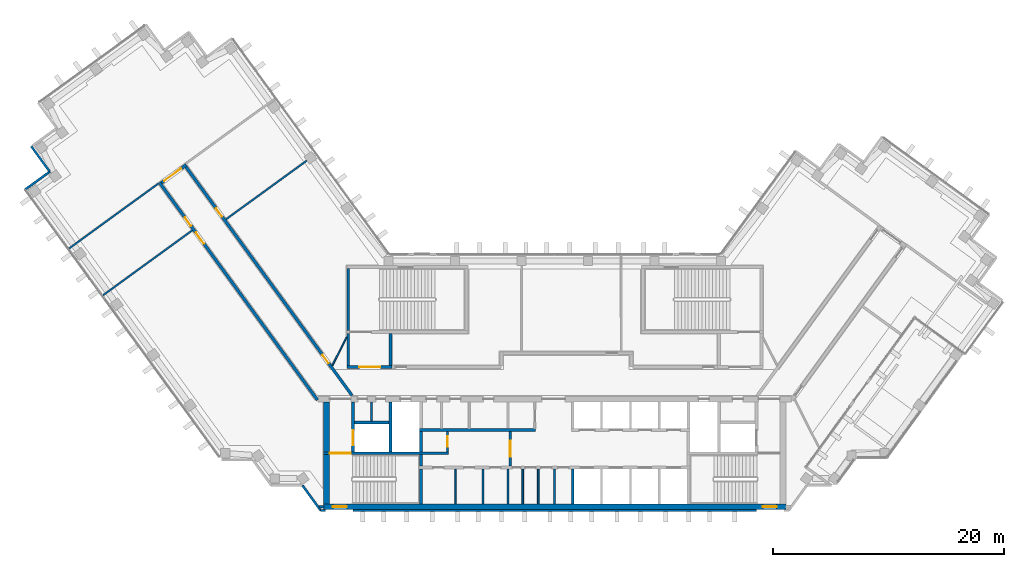
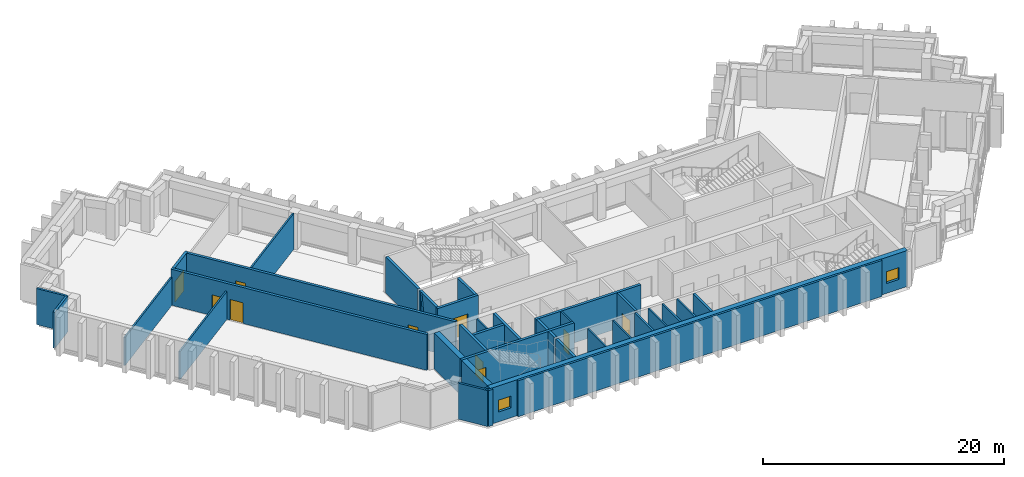
# One storey, part 5 of 10: 38 walls, 10 doors, 2 windows, 12 openings.
"""IFC4 building model written with IfcOpenShell, lengths in metres."""

import ifcopenshell
import ifcopenshell.guid

model = None  # the IFC model being written
_history = None  # IfcOwnerHistory: only IFC2X3 demands one
_inside = {}  # id of a spatial element -> (the spatial element, [elements in it])
_under = {}  # id of a project, library or spatial element -> (it, [spatial elements below it])
_declared = {}  # id of a project -> (the project, [libraries it declares])
_typed = {}  # id of a type object -> (the type object, [elements of that type])
_made_of = {}  # id of a material, layer set ... -> (it, [elements and type objects made of it])


def new_model(schema):
    """Start an empty IFC model of exactly this schema.

    Asked for "IFC4X3", IfcOpenShell would pick the latest addendum, in which some entities
    have other attributes; the version numbers below select the first issue.
    IFC2X3 requires an IfcOwnerHistory on every rooted entity: one is made here for all.
    """
    global model, _history
    if schema == "IFC4X3":
        model = ifcopenshell.file(schema_version=(4, 3, 0, 0))
    else:
        model = ifcopenshell.file(schema=schema)
    _inside.clear()
    _under.clear()
    _declared.clear()
    _typed.clear()
    _made_of.clear()
    _history = None
    if model.schema == "IFC2X3":
        org = make("IfcOrganization", Name="unknown")
        user = make(
            "IfcPersonAndOrganization",
            ThePerson=make("IfcPerson", FamilyName="unknown"),
            TheOrganization=org,
        )
        app = make(
            "IfcApplication",
            ApplicationDeveloper=org,
            Version="unknown",
            ApplicationFullName="unknown",
            ApplicationIdentifier="unknown",
        )
        _history = make(
            "IfcOwnerHistory",
            OwningUser=user,
            OwningApplication=app,
            ChangeAction="ADDED",
            CreationDate=0,
        )
    return model


def make(cls, **values):
    """One entity of the class cls with the attributes given. An attribute that is None is left unset."""
    return model.create_entity(
        cls, **{name: value for name, value in values.items() if value is not None}
    )


def rooted(cls, **values):
    """An entity with a GlobalId (a new one), such as an element, a storey or a relation."""
    return make(cls, GlobalId=ifcopenshell.guid.new(), OwnerHistory=_history, **values)


def si_unit(unit_type, name, prefix=None):
    """IfcSIUnit, for example si_unit("LENGTHUNIT", "METRE", prefix="MILLI")."""
    return make("IfcSIUnit", UnitType=unit_type, Prefix=prefix, Name=name)


def assignment(units):
    """IfcUnitAssignment: the units of a project."""
    return None if units is None else make("IfcUnitAssignment", Units=units)


def point(xyz):
    """IfcCartesianPoint."""
    return None if xyz is None else make("IfcCartesianPoint", Coordinates=xyz)


def direction(xyz):
    """IfcDirection."""
    return None if xyz is None else make("IfcDirection", DirectionRatios=xyz)


def frame(location, z_axis=None, x_axis=None):
    """IfcAxis2Placement3D, a coordinate frame: its origin and axes. An axis left out is left unset."""
    return make(
        "IfcAxis2Placement3D",
        Location=point(location),
        Axis=direction(z_axis),
        RefDirection=direction(x_axis),
    )


def frame_2d(location, x_axis=None):
    """IfcAxis2Placement2D, a coordinate frame in the plane: its origin and x axis."""
    return make(
        "IfcAxis2Placement2D", Location=point(location), RefDirection=direction(x_axis)
    )


def origin():
    """The frame at (0, 0, 0) with its axes left unset."""
    return frame((0.0, 0.0, 0.0))


def place(relative_to, where):
    """IfcLocalPlacement: puts the frame where relative to a parent placement (None: the world)."""
    return make(
        "IfcLocalPlacement", PlacementRelTo=relative_to, RelativePlacement=where
    )


def context(
    kind, dimensions, precision=None, world=None, true_north=None, identifier=None
):
    """IfcGeometricRepresentationContext, for example the 3D "Model" context."""
    return make(
        "IfcGeometricRepresentationContext",
        ContextIdentifier=identifier,
        ContextType=kind,
        CoordinateSpaceDimension=dimensions,
        Precision=precision,
        WorldCoordinateSystem=world,
        TrueNorth=true_north,
    )


def subcontext(parent, identifier, kind, view, scale=None):
    """IfcGeometricRepresentationSubContext, for example "Body" below "Model"."""
    return make(
        "IfcGeometricRepresentationSubContext",
        ContextIdentifier=identifier,
        ContextType=kind,
        ParentContext=parent,
        TargetScale=scale,
        TargetView=view,
    )


def project(units=None, contexts=None):
    """IfcProject with its units and contexts."""
    return rooted(
        "IfcProject",
        Name="project",
        RepresentationContexts=contexts,
        UnitsInContext=assignment(units),
    )


def spatial(cls, under=None, at=None, **own):
    """A site, building, storey or space (cls), placed at a placement, below another one or the project."""
    s = rooted(cls, ObjectPlacement=at, **own)
    if under is not None:
        _under.setdefault(under.id(), (under, []))[1].append(s)
    return s


def profile(cls, at=None, kind="AREA", **sizes):
    """A parametric profile (cls). Its sizes go by their IFC names, for example OverallWidth=200.0."""
    return make(cls, ProfileType=kind, Position=at, **sizes)


def rectangle(**sizes):
    """IfcRectangleProfileDef."""
    return profile("IfcRectangleProfileDef", **sizes)


def extrude(swept, where, along, depth):
    """IfcExtrudedAreaSolid: the profile swept, set in the frame where, extruded along a direction by depth."""
    return make(
        "IfcExtrudedAreaSolid",
        SweptArea=swept,
        Position=where,
        ExtrudedDirection=direction(along),
        Depth=depth,
    )


def shape(context_of_items, identifier, shape_type, items):
    """IfcShapeRepresentation: the items that make up one representation, for example the "Body"."""
    return make(
        "IfcShapeRepresentation",
        ContextOfItems=context_of_items,
        RepresentationIdentifier=identifier,
        RepresentationType=shape_type,
        Items=items,
    )


def material(Name=None, Category=None):
    """IfcMaterial."""
    return make("IfcMaterial", Name=Name, Category=Category)


def layer(
    of_material, thickness, ventilated=None, Name=None, Category=None, Priority=None
):
    """IfcMaterialLayer: one layer of a wall or slab, of a material (None: an air gap)."""
    return make(
        "IfcMaterialLayer",
        Material=of_material,
        LayerThickness=thickness,
        IsVentilated=ventilated,
        Name=Name,
        Category=Category,
        Priority=Priority,
    )


def layer_set(layers, Name=None):
    """IfcMaterialLayerSet."""
    return make("IfcMaterialLayerSet", MaterialLayers=layers, LayerSetName=Name)


def made_of(thing, what):
    """Note that an element or type object is made of a material, layer set ...; save() writes the relation."""
    if what is not None:
        _made_of.setdefault(what.id(), (what, []))[1].append(thing)
    return thing


def type_object(cls, material=None, **own):
    """A type object (cls), such as IfcWallType, which elements share."""
    return made_of(rooted(cls, **own), material)


def element(
    cls,
    number,
    at=None,
    inside=None,
    cuts=None,
    type_object=None,
    material=None,
    context=None,
    identifier="Body",
    shape_type=None,
    held_by="IfcProductDefinitionShape",
    body=None,
    shapes=None,
    **own,
):
    """One element of the class cls, such as IfcWall. Its Tag is "e" and its number.

    at: its placement. inside: the storey or other place that contains it. cuts: it is an
    opening in that element (IfcRelVoidsElement). A single representation is given by context,
    identifier, shape_type and body (its items); several are given by shapes. held_by: the class
    of the entity that holds the representations. save() writes the other relations.
    """
    e = rooted(cls, Tag="e%d" % number, ObjectPlacement=at, **own)
    if body is not None:
        shapes = [shape(context, identifier, shape_type, body)]
    if shapes is not None:
        e.Representation = make(held_by, Representations=shapes)
    if inside is not None:
        _inside.setdefault(inside.id(), (inside, []))[1].append(e)
    if cuts is not None:
        rooted(
            "IfcRelVoidsElement", RelatingBuildingElement=cuts, RelatedOpeningElement=e
        )
    if type_object is not None:
        _typed.setdefault(type_object.id(), (type_object, []))[1].append(e)
    return made_of(e, material)


def fill(opening, filler):
    """IfcRelFillsElement: the door or window that sits in an opening."""
    return rooted(
        "IfcRelFillsElement",
        RelatingOpeningElement=opening,
        RelatedBuildingElement=filler,
    )


def aggregate(whole, parts):
    """IfcRelAggregates: a whole, such as a stair, and the parts it consists of."""
    return rooted("IfcRelAggregates", RelatingObject=whole, RelatedObjects=parts)


def save(model, path):
    """Write the relations noted so far, then the file.

    IfcRelAggregates (storeys below a building ...), IfcRelContainedInSpatialStructure (elements
    in a storey), IfcRelDefinesByType, IfcRelAssociatesMaterial and IfcRelDeclares: one each for
    every whole, place, type object, material and project.
    """
    for whole, parts in _under.values():
        aggregate(whole, parts)
    for where, things in _inside.values():
        rooted(
            "IfcRelContainedInSpatialStructure",
            RelatedElements=things,
            RelatingStructure=where,
        )
    for kind, things in _typed.values():
        rooted("IfcRelDefinesByType", RelatedObjects=things, RelatingType=kind)
    for what, things in _made_of.values():
        rooted("IfcRelAssociatesMaterial", RelatedObjects=things, RelatingMaterial=what)
    for by, libraries in _declared.values():
        rooted("IfcRelDeclares", RelatingContext=by, RelatedDefinitions=libraries)
    model.write(path)


model = new_model("IFC4")

# Units and contexts
model_context = context("Model", 3, precision=1e-05, world=origin(), true_north=direction((0.0, 1.0)))
body_context = subcontext(model_context, "Body", "Model", "MODEL_VIEW")
ifc_project = project(units=[si_unit("LENGTHUNIT", "METRE"), si_unit("AREAUNIT", "SQUARE_METRE"), si_unit("VOLUMEUNIT", "CUBIC_METRE"), si_unit("PLANEANGLEUNIT", "RADIAN"), si_unit("MASSUNIT", "GRAM", prefix="KILO")], contexts=[model_context])

# Site, building, storey
site_placement = place(None, origin())
site = spatial("IfcSite", under=ifc_project, at=site_placement, CompositionType="ELEMENT")
building_placement = place(site_placement, origin())
building = spatial("IfcBuilding", under=site, at=building_placement, Name="Quipu Civic Tower", CompositionType="ELEMENT")
storey_placement = place(building_placement, frame((0.0, 0.0, 206.0)))
storey = spatial("IfcBuildingStorey", under=building, at=storey_placement, Name="L48", CompositionType="ELEMENT", Elevation=206.0)

# Walls
ifc_material_1 = material(Name="Double gypsum plasterboard with mineral wool")
ifc_layer_1 = layer(ifc_material_1, 0.14990234375)
ifc_layer_set_1 = layer_set([ifc_layer_1], Name="Double gypsum plasterboard with mineral wool")
wall_type_1 = type_object("IfcWallType", Name="Acoustic partition 150 plasterboard", PredefinedType="PARTITIONING", material=ifc_layer_set_1)
wall_1_placement = place(storey_placement, frame((-21.46337890625, 19.189697265625, 0.0), z_axis=(0.0, 0.0, 1.0), x_axis=(-0.808993678379, -0.58781734267, 0.0)))
element("IfcWall", 1, at=wall_1_placement, inside=storey, type_object=wall_type_1, Name="Partition P03", PredefinedType="PARTITIONING", context=body_context, shape_type="SweptSolid", body=[
    extrude(rectangle(XDim=8.645263671875, YDim=0.14990234375, at=frame_2d((4.32275390625, 0.0))), origin(), (0.0, 0.0, 1.0), 3.64990234375),
])
for number, where, z_axis, x_axis, name in (
    (2, (-31.356201171875, 13.163818359375, 0.0), (0.0, 0.0, 1.0), (-0.809102944047, -0.587666934526, 0.0), "Partition P05"),
    (3, (-34.29833984375, 17.212890625, 0.0), (0.0, 0.0, 1.0), (-0.80898585166, -0.587828114175, 0.0), "Partition P07"),
):
    element("IfcWall", number, at=place(storey_placement, frame(where, z_axis=z_axis, x_axis=x_axis)), inside=storey, type_object=wall_type_1, Name=name, PredefinedType="PARTITIONING", context=body_context, shape_type="SweptSolid", body=[
        extrude(rectangle(XDim=9.550048828125, YDim=0.14990234375, at=frame_2d((4.77490234375, 0.0))), origin(), (0.0, 0.0, 1.0), 2.85009765625),
    ])
ifc_material_2 = material(Name="Concrete C70/85", Category="concrete")
ifc_layer_2 = layer(ifc_material_2, 0.25)
ifc_layer_set_2 = layer_set([ifc_layer_2], Name="Concrete C70/85")
wall_type_2 = type_object("IfcWallType", Name="Core wall 250", PredefinedType="SHEAR", material=ifc_layer_set_2)
wall_2_placement = place(storey_placement, frame((-11.574951171875, -10.5, 0.0), z_axis=(0.0, 0.0, 1.0), x_axis=(0.0, 1.0, 0.0)))
element("IfcWall", 4, at=wall_2_placement, inside=storey, type_object=wall_type_2, Name="Core wall", PredefinedType="SHEAR", context=body_context, shape_type="SweptSolid", body=[
    extrude(rectangle(XDim=3.0, YDim=0.25, at=frame_2d((1.5, 0.0))), origin(), (0.0, 0.0, 1.0), 3.64990234375),
])
wall_3_placement = place(storey_placement, frame((-11.574951171875, -7.25, 0.0), z_axis=(0.0, 0.0, 1.0), x_axis=(0.0, 1.0, 0.0)))
element("IfcWall", 5, at=wall_3_placement, inside=storey, type_object=wall_type_2, Name="Core wall", PredefinedType="SHEAR", context=body_context, shape_type="SweptSolid", body=[
    extrude(rectangle(XDim=1.0, YDim=0.25, at=frame_2d((0.5, 0.0))), origin(), (0.0, 0.0, 1.0), 3.64990234375),
])

# Wall, opening, door
wall_4_placement = place(storey_placement, frame((-9.199951171875, -6.125, 0.0), z_axis=(0.0, 0.0, 1.0), x_axis=(-1.0, 0.0, 0.0)))
wall_4 = element("IfcWall", 6, at=wall_4_placement, inside=storey, type_object=wall_type_2, Name="Core wall", PredefinedType="SHEAR", context=body_context, shape_type="SweptSolid", body=[
    extrude(rectangle(XDim=10.800048828125, YDim=0.25, at=frame_2d((5.39990234375, 0.0))), origin(), (0.0, 0.0, 1.0), 3.64990234375),
])
opening_1_placement = place(wall_4_placement, frame((8.449951171875, 0.0, 0.0)))
opening_1 = element("IfcOpeningElement", 7, at=opening_1_placement, cuts=wall_4, Name="Opening CD-08", PredefinedType="OPENING", context=body_context, shape_type="SweptSolid", body=[
    extrude(rectangle(XDim=1.800048828125, YDim=2.10009765625, at=frame_2d((0.89990234375, 1.050048828125))), frame((0.0, 0.135009765625, 0.0), z_axis=(0.0, -1.0, 0.0), x_axis=(1.0, 0.0, 0.0)), (0.0, 0.0, 1.0), 0.27001953125),
])
ifc_material_3 = material(Name="Fire rated steel door", Category="steel")
door_type_1 = type_object("IfcDoorType", Name="Fire door FD90 double 1800 x 2100", OperationType="NOTDEFINED", PredefinedType="DOOR", material=ifc_material_3)
door_1_placement = place(opening_1_placement, origin())
door_1 = element("IfcDoor", 8, at=door_1_placement, inside=storey, type_object=door_type_1, Name="Door", OperationType="DOUBLE_DOOR_SINGLE_SWING", OverallHeight=2.10009765625, OverallWidth=1.800048828125, PredefinedType="DOOR", context=body_context, shape_type="SweptSolid", body=[
    extrude(rectangle(XDim=1.800048828125, YDim=2.10009765625, at=frame_2d((0.89990234375, 1.050048828125))), frame((0.0, 0.02490234375, 0.0), z_axis=(0.0, -1.0, 0.0), x_axis=(1.0, 0.0, 0.0)), (0.0, 0.0, 1.0), 0.050048828125),
])
fill(opening_1, door_1)

wall_5_placement = place(storey_placement, frame((-17.47509765625, -6.0, 0.0), z_axis=(0.0, 0.0, 1.0), x_axis=(0.0, 1.0, 0.0)))
wall_5 = element("IfcWall", 9, at=wall_5_placement, inside=storey, type_object=wall_type_2, Name="Core wall", PredefinedType="SHEAR", context=body_context, shape_type="SweptSolid", body=[
    extrude(rectangle(XDim=4.300048828125, YDim=0.25, at=frame_2d((2.14990234375, 0.0))), origin(), (0.0, 0.0, 1.0), 3.64990234375),
])
opening_2_placement = place(wall_5_placement, frame((0.550048828125, 0.0, 0.0)))
opening_2 = element("IfcOpeningElement", 10, at=opening_2_placement, cuts=wall_5, Name="Opening LD-FF1", PredefinedType="OPENING", context=body_context, shape_type="SweptSolid", body=[
    extrude(rectangle(XDim=1.300048828125, YDim=2.10009765625, at=frame_2d((0.64990234375, 1.050048828125))), frame((0.0, 0.135009765625, 0.0), z_axis=(0.0, -1.0, 0.0), x_axis=(1.0, 0.0, 0.0)), (0.0, 0.0, 1.0), 0.27001953125),
])
ifc_material_4 = material(Name="Stainless steel", Category="steel")
door_type_2 = type_object("IfcDoorType", Name="Lift landing door 1300 x 2100", OperationType="DOUBLE_DOOR_SLIDING", PredefinedType="DOOR", material=ifc_material_4)
door_2_placement = place(opening_2_placement, origin())
door_2 = element("IfcDoor", 11, at=door_2_placement, inside=storey, type_object=door_type_2, Name="Landing door FF1", OperationType="DOUBLE_DOOR_SLIDING", OverallHeight=2.10009765625, OverallWidth=1.300048828125, PredefinedType="DOOR", context=body_context, shape_type="SweptSolid", body=[
    extrude(rectangle(XDim=1.300048828125, YDim=2.10009765625, at=frame_2d((0.64990234375, 1.050048828125))), frame((0.0, 0.02490234375, 0.0), z_axis=(0.0, -1.0, 0.0), x_axis=(1.0, 0.0, 0.0)), (0.0, 0.0, 1.0), 0.050048828125),
])
fill(opening_2, door_2)

# Walls
wall_6_placement = place(storey_placement, frame((-14.22509765625, -6.0, 0.0), z_axis=(0.0, 0.0, 1.0), x_axis=(0.0, 1.0, 0.0)))
element("IfcWall", 12, at=wall_6_placement, inside=storey, type_object=wall_type_2, Name="Core wall", PredefinedType="SHEAR", context=body_context, shape_type="SweptSolid", body=[
    extrude(rectangle(XDim=4.300048828125, YDim=0.25, at=frame_2d((2.14990234375, 0.0))), origin(), (0.0, 0.0, 1.0), 3.64990234375),
])
wall_7_placement = place(storey_placement, frame((-11.574951171875, -6.0, 0.0), z_axis=(0.0, 0.0, 1.0), x_axis=(0.0, 1.0, 0.0)))
element("IfcWall", 13, at=wall_7_placement, inside=storey, type_object=wall_type_2, Name="Core wall", PredefinedType="SHEAR", context=body_context, shape_type="SweptSolid", body=[
    extrude(rectangle(XDim=1.75, YDim=0.25, at=frame_2d((0.875, 0.0))), origin(), (0.0, 0.0, 1.0), 3.64990234375),
])
wall_8_placement = place(storey_placement, frame((-11.699951171875, -4.125, 0.0), z_axis=(0.0, 0.0, 1.0), x_axis=(1.0, 0.0, 0.0)))
element("IfcWall", 14, at=wall_8_placement, inside=storey, type_object=wall_type_2, Name="Core wall", PredefinedType="SHEAR", context=body_context, shape_type="SweptSolid", body=[
    extrude(rectangle(XDim=10.050048828125, YDim=0.25, at=frame_2d((5.02490234375, 0.0))), origin(), (0.0, 0.0, 1.0), 3.64990234375),
])
wall_9_placement = place(storey_placement, frame((-17.35009765625, -3.47509765625, 0.0), z_axis=(0.0, 0.0, 1.0), x_axis=(1.0, 0.0, 0.0)))
element("IfcWall", 15, at=wall_9_placement, inside=storey, type_object=wall_type_2, Name="Core wall", PredefinedType="SHEAR", context=body_context, shape_type="SweptSolid", body=[
    extrude(rectangle(XDim=3.0, YDim=0.25, at=frame_2d((1.5, 0.0))), origin(), (0.0, 0.0, 1.0), 3.64990234375),
])

# Wall, opening, door
wall_10_placement = place(storey_placement, frame((-18.0, 1.324951171875, 0.0), z_axis=(0.0, 0.0, 1.0), x_axis=(1.0, 0.0, 0.0)))
wall_10 = element("IfcWall", 16, at=wall_10_placement, inside=storey, type_object=wall_type_2, Name="Core wall", PredefinedType="SHEAR", context=body_context, shape_type="SweptSolid", body=[
    extrude(rectangle(XDim=3.89990234375, YDim=0.25, at=frame_2d((1.949951171875, 0.0))), origin(), (0.0, 0.0, 1.0), 3.64990234375),
])
opening_3_placement = place(wall_10_placement, frame((1.10009765625, 0.0, 0.0)))
opening_3 = element("IfcOpeningElement", 17, at=opening_3_placement, cuts=wall_10, Name="Opening CD-24", PredefinedType="OPENING", context=body_context, shape_type="SweptSolid", body=[
    extrude(rectangle(XDim=1.800048828125, YDim=2.10009765625, at=frame_2d((0.89990234375, 1.050048828125))), frame((0.0, 0.135009765625, 0.0), z_axis=(0.0, -1.0, 0.0), x_axis=(1.0, 0.0, 0.0)), (0.0, 0.0, 1.0), 0.27001953125),
])
door_3_placement = place(opening_3_placement, origin())
door_3 = element("IfcDoor", 18, at=door_3_placement, inside=storey, type_object=door_type_1, Name="Lobby door", OperationType="DOUBLE_DOOR_SINGLE_SWING", OverallHeight=2.10009765625, OverallWidth=1.800048828125, PredefinedType="DOOR", context=body_context, shape_type="SweptSolid", body=[
    extrude(rectangle(XDim=1.800048828125, YDim=2.10009765625, at=frame_2d((0.89990234375, 1.050048828125))), frame((0.0, 0.02490234375, 0.0), z_axis=(0.0, -1.0, 0.0), x_axis=(1.0, 0.0, 0.0)), (0.0, 0.0, 1.0), 0.050048828125),
])
fill(opening_3, door_3)

# Walls
for number, where, z_axis, x_axis, name in (
    (19, (-17.875, 1.449951171875, 0.0), (0.0, 0.0, 1.0), (0.0, 1.0, 0.0), "Core wall"),
    (20, (-14.22509765625, 1.449951171875, 0.0), (0.0, 0.0, 1.0), (0.0, 1.0, 0.0), "Core wall"),
):
    element("IfcWall", number, at=place(storey_placement, frame(where, z_axis=z_axis, x_axis=x_axis)), inside=storey, type_object=wall_type_2, Name=name, PredefinedType="SHEAR", context=body_context, shape_type="SweptSolid", body=[
        extrude(rectangle(XDim=2.800048828125, YDim=0.25, at=frame_2d((1.39990234375, 0.0))), origin(), (0.0, 0.0, 1.0), 3.64990234375),
    ])
wall_11_placement = place(storey_placement, frame((-17.875, 4.5, 0.0), z_axis=(0.0, 0.0, 1.0), x_axis=(0.0, 1.0, 0.0)))
element("IfcWall", 21, at=wall_11_placement, inside=storey, type_object=wall_type_2, Name="Core wall", PredefinedType="SHEAR", context=body_context, shape_type="SweptSolid", body=[
    extrude(rectangle(XDim=5.35009765625, YDim=0.25, at=frame_2d((2.675048828125, 0.0))), origin(), (0.0, 0.0, 1.0), 3.64990234375),
])

# Wall, openings, windows
ifc_material_5 = material(Name="Concrete C70/85", Category="concrete")
ifc_layer_3 = layer(ifc_material_5, 0.5)
ifc_layer_set_3 = layer_set([ifc_layer_3], Name="Concrete C70/85")
wall_type_3 = type_object("IfcWallType", Name="Core wall 500", PredefinedType="SHEAR", material=ifc_layer_set_3)
wall_12_placement = place(storey_placement, frame((-20.0, -10.75, 0.0), z_axis=(0.0, 0.0, 1.0), x_axis=(1.0, 0.0, 0.0)))
wall_12 = element("IfcWall", 22, at=wall_12_placement, inside=storey, type_object=wall_type_3, Name="Core wall", PredefinedType="SHEAR", context=body_context, shape_type="SweptSolid", body=[
    extrude(rectangle(XDim=40.0, YDim=0.5, at=frame_2d((20.0, 0.0))), origin(), (0.0, 0.0, 1.0), 3.64990234375),
])
opening_4_placement = place(wall_12_placement, frame((0.800048828125, 0.0, 1.0)))
opening_4 = element("IfcOpeningElement", 23, at=opening_4_placement, cuts=wall_12, Name="Opening SV-1", PredefinedType="OPENING", context=body_context, shape_type="SweptSolid", body=[
    extrude(rectangle(XDim=1.199951171875, YDim=1.199951171875, at=frame_2d((0.60009765625, 0.60009765625))), frame((0.0, 0.260009765625, 0.0), z_axis=(0.0, -1.0, 0.0), x_axis=(1.0, 0.0, 0.0)), (0.0, 0.0, 1.0), 0.52001953125),
])
opening_5_placement = place(wall_12_placement, frame((38.0, 0.0, 1.0)))
opening_5 = element("IfcOpeningElement", 24, at=opening_5_placement, cuts=wall_12, Name="Opening SV-2", PredefinedType="OPENING", context=body_context, shape_type="SweptSolid", body=[
    extrude(rectangle(XDim=1.199951171875, YDim=1.199951171875, at=frame_2d((0.60009765625, 0.60009765625))), frame((0.0, 0.260009765625, 0.0), z_axis=(0.0, -1.0, 0.0), x_axis=(1.0, 0.0, 0.0)), (0.0, 0.0, 1.0), 0.52001953125),
])
ifc_material_6 = material(Name="Aluminium louvre", Category="aluminium")
window_type = type_object("IfcWindowType", Name="Stair ventilation louvre 1200 x 1200", PartitioningType="SINGLE_PANEL", PredefinedType="WINDOW", material=ifc_material_6)
window_1_placement = place(opening_4_placement, origin())
window_1 = element("IfcWindow", 25, at=window_1_placement, inside=storey, type_object=window_type, Name="Stair ventilation opening", OverallHeight=1.199951171875, OverallWidth=1.199951171875, PartitioningType="SINGLE_PANEL", PredefinedType="WINDOW", context=body_context, shape_type="SweptSolid", body=[
    extrude(rectangle(XDim=1.199951171875, YDim=1.199951171875, at=frame_2d((0.60009765625, 0.60009765625))), frame((0.0, 0.030029296875, 0.0), z_axis=(0.0, -1.0, 0.0), x_axis=(1.0, 0.0, 0.0)), (0.0, 0.0, 1.0), 0.06005859375),
])
fill(opening_4, window_1)
window_2_placement = place(opening_5_placement, origin())
window_2 = element("IfcWindow", 26, at=window_2_placement, inside=storey, type_object=window_type, Name="Stair ventilation opening", OverallHeight=1.199951171875, OverallWidth=1.199951171875, PartitioningType="SINGLE_PANEL", PredefinedType="WINDOW", context=body_context, shape_type="SweptSolid", body=[
    extrude(rectangle(XDim=1.199951171875, YDim=1.199951171875, at=frame_2d((0.60009765625, 0.60009765625))), frame((0.0, 0.030029296875, 0.0), z_axis=(0.0, -1.0, 0.0), x_axis=(1.0, 0.0, 0.0)), (0.0, 0.0, 1.0), 0.06005859375),
])
fill(opening_5, window_2)

# Walls
wall_13_placement = place(storey_placement, frame((-19.75, -10.5, 0.0), z_axis=(0.0, 0.0, 1.0), x_axis=(0.0, 1.0, 0.0)))
element("IfcWall", 27, at=wall_13_placement, inside=storey, type_object=wall_type_3, Name="Core wall", PredefinedType="SHEAR", context=body_context, shape_type="SweptSolid", body=[
    extrude(rectangle(XDim=4.25, YDim=0.5, at=frame_2d((2.125, 0.0))), origin(), (0.0, 0.0, 1.0), 3.64990234375),
])
wall_14_placement = place(storey_placement, frame((-19.75, -6.0, 0.0), z_axis=(0.0, 0.0, 1.0), x_axis=(0.0, 1.0, 0.0)))
element("IfcWall", 28, at=wall_14_placement, inside=storey, type_object=wall_type_3, Name="Core wall", PredefinedType="SHEAR", context=body_context, shape_type="SweptSolid", body=[
    extrude(rectangle(XDim=4.300048828125, YDim=0.5, at=frame_2d((2.14990234375, 0.0))), origin(), (0.0, 0.0, 1.0), 3.64990234375),
])

# Wall, openings, doors
ifc_material_7 = material(Name="Concrete C50/60", Category="concrete")
ifc_layer_4 = layer(ifc_material_7, 0.25)
ifc_layer_set_4 = layer_set([ifc_layer_4], Name="Concrete C50/60")
wall_type_4 = type_object("IfcWallType", Name="Corridor wall 250 concrete", PredefinedType="SOLIDWALL", material=ifc_layer_set_4)
wall_15_placement = place(storey_placement, frame((-20.531005859375, -1.5234375, 0.0), z_axis=(0.0, 0.0, 1.0), x_axis=(-0.587784239999, 0.809017729849, 0.0)))
wall_15 = element("IfcWall", 29, at=wall_15_placement, inside=storey, type_object=wall_type_4, Name="Corridor wall C04", PredefinedType="SOLIDWALL", context=body_context, shape_type="SweptSolid", body=[
    extrude(rectangle(XDim=23.2705078125, YDim=0.25, at=frame_2d((11.63525390625, 0.0))), origin(), (0.0, 0.0, 1.0), 3.64990234375),
])
opening_6_placement = place(wall_15_placement, frame((16.7158203125, 0.0, 0.0)))
opening_6 = element("IfcOpeningElement", 30, at=opening_6_placement, cuts=wall_15, Name="Opening D011", PredefinedType="OPENING", context=body_context, shape_type="SweptSolid", body=[
    extrude(rectangle(XDim=1.199951171875, YDim=2.10009765625, at=frame_2d((0.60009765625, 1.050048828125))), frame((0.0, 0.135009765625, 0.0), z_axis=(0.0, -1.0, 0.0), x_axis=(1.0, 0.0, 0.0)), (0.0, 0.0, 1.0), 0.27001953125),
])
opening_7_placement = place(wall_15_placement, frame((18.6162109375, 0.0, 0.0)))
opening_7 = element("IfcOpeningElement", 31, at=opening_7_placement, cuts=wall_15, Name="Opening D010", PredefinedType="OPENING", context=body_context, shape_type="SweptSolid", body=[
    extrude(rectangle(XDim=0.89990234375, YDim=2.10009765625, at=frame_2d((0.449951171875, 1.050048828125))), frame((0.0, 0.135009765625, 0.0), z_axis=(0.0, -1.0, 0.0), x_axis=(1.0, 0.0, 0.0)), (0.0, 0.0, 1.0), 0.27001953125),
])
ifc_material_8 = material(Name="Fire rated timber door set with metal frame", Category="wood")
door_type_3 = type_object("IfcDoorType", Name="Single door 1200 x 2100 FD60", OperationType="NOTDEFINED", PredefinedType="DOOR", material=ifc_material_8)
door_4_placement = place(opening_6_placement, origin())
door_4 = element("IfcDoor", 32, at=door_4_placement, inside=storey, type_object=door_type_3, Name="Door D011", OperationType="SINGLE_SWING_RIGHT", OverallHeight=2.10009765625, OverallWidth=1.199951171875, PredefinedType="DOOR", context=body_context, shape_type="SweptSolid", body=[
    extrude(rectangle(XDim=1.199951171875, YDim=2.10009765625, at=frame_2d((0.60009765625, 1.050048828125))), frame((0.0, 0.02490234375, 0.0), z_axis=(0.0, -1.0, 0.0), x_axis=(1.0, 0.0, 0.0)), (0.0, 0.0, 1.0), 0.050048828125),
])
fill(opening_6, door_4)
ifc_material_9 = material(Name="Fire rated timber door set with metal frame", Category="wood")
door_type_4 = type_object("IfcDoorType", Name="Single door 900 x 2100 FD60", OperationType="NOTDEFINED", PredefinedType="DOOR", material=ifc_material_9)
door_5_placement = place(opening_7_placement, origin())
door_5 = element("IfcDoor", 33, at=door_5_placement, inside=storey, type_object=door_type_4, Name="Door D010", OperationType="SINGLE_SWING_LEFT", OverallHeight=2.10009765625, OverallWidth=0.89990234375, PredefinedType="DOOR", context=body_context, shape_type="SweptSolid", body=[
    extrude(rectangle(XDim=0.89990234375, YDim=2.10009765625, at=frame_2d((0.449951171875, 1.050048828125))), frame((0.0, 0.02490234375, 0.0), z_axis=(0.0, -1.0, 0.0), x_axis=(1.0, 0.0, 0.0)), (0.0, 0.0, 1.0), 0.050048828125),
])
fill(opening_7, door_5)

# Wall, opening, door
wall_16_placement = place(storey_placement, frame((-34.0341796875, 17.275146484375, 0.0), z_axis=(0.0, 0.0, 1.0), x_axis=(0.809006914995, 0.587799125119, 0.0)))
wall_16 = element("IfcWall", 34, at=wall_16_placement, inside=storey, type_object=wall_type_4, Name="Corridor wall C05", PredefinedType="SOLIDWALL", context=body_context, shape_type="SweptSolid", body=[
    extrude(rectangle(XDim=2.64990234375, YDim=0.25, at=frame_2d((1.324951171875, 0.0))), origin(), (0.0, 0.0, 1.0), 3.64990234375),
])
opening_8_placement = place(wall_16_placement, frame((0.30029296875, 0.0, 0.0)))
opening_8 = element("IfcOpeningElement", 35, at=opening_8_placement, cuts=wall_16, Name="Opening D012", PredefinedType="OPENING", context=body_context, shape_type="SweptSolid", body=[
    extrude(rectangle(XDim=1.800048828125, YDim=2.10009765625, at=frame_2d((0.89990234375, 1.050048828125))), frame((0.0, 0.135009765625, 0.0), z_axis=(0.0, -1.0, 0.0), x_axis=(1.0, 0.0, 0.0)), (0.0, 0.0, 1.0), 0.27001953125),
])
ifc_material_10 = material(Name="Fire rated timber door set with metal frame", Category="wood")
door_type_5 = type_object("IfcDoorType", Name="Double door 1800 x 2100 FD60", OperationType="DOUBLE_DOOR_SINGLE_SWING", PredefinedType="DOOR", material=ifc_material_10)
door_6_placement = place(opening_8_placement, origin())
door_6 = element("IfcDoor", 36, at=door_6_placement, inside=storey, type_object=door_type_5, Name="Door D012", OperationType="DOUBLE_DOOR_SINGLE_SWING", OverallHeight=2.10009765625, OverallWidth=1.800048828125, PredefinedType="DOOR", context=body_context, shape_type="SweptSolid", body=[
    extrude(rectangle(XDim=1.800048828125, YDim=2.10009765625, at=frame_2d((0.89990234375, 1.050048828125))), frame((0.0, 0.02490234375, 0.0), z_axis=(0.0, -1.0, 0.0), x_axis=(1.0, 0.0, 0.0)), (0.0, 0.0, 1.0), 0.050048828125),
])
fill(opening_8, door_6)

# Wall, openings, doors
wall_17_placement = place(storey_placement, frame((-31.918212890625, 18.658203125, 0.0), z_axis=(0.0, 0.0, 1.0), x_axis=(0.587788731405, -0.80901446664, 0.0)))
wall_17 = element("IfcWall", 37, at=wall_17_placement, inside=storey, type_object=wall_type_4, Name="Corridor wall C06", PredefinedType="SOLIDWALL", context=body_context, shape_type="SweptSolid", body=[
    extrude(rectangle(XDim=24.453125, YDim=0.25, at=frame_2d((12.2265625, 0.0))), origin(), (0.0, 0.0, 1.0), 3.64990234375),
])
opening_9_placement = place(wall_17_placement, frame((20.111572265625, 0.0, 0.0)))
opening_9 = element("IfcOpeningElement", 38, at=opening_9_placement, cuts=wall_17, Name="Opening D009", PredefinedType="OPENING", context=body_context, shape_type="SweptSolid", body=[
    extrude(rectangle(XDim=0.89990234375, YDim=2.10009765625, at=frame_2d((0.449951171875, 1.050048828125))), frame((0.0, 0.135009765625, 0.0), z_axis=(0.0, -1.0, 0.0), x_axis=(1.0, 0.0, 0.0)), (0.0, 0.0, 1.0), 0.27001953125),
])
opening_10_placement = place(wall_17_placement, frame((4.4453125, 0.0, 0.0)))
opening_10 = element("IfcOpeningElement", 39, at=opening_10_placement, cuts=wall_17, Name="Opening D008", PredefinedType="OPENING", context=body_context, shape_type="SweptSolid", body=[
    extrude(rectangle(XDim=0.89990234375, YDim=2.10009765625, at=frame_2d((0.449951171875, 1.050048828125))), frame((0.0, 0.135009765625, 0.0), z_axis=(0.0, -1.0, 0.0), x_axis=(1.0, 0.0, 0.0)), (0.0, 0.0, 1.0), 0.27001953125),
])
door_7_placement = place(opening_9_placement, origin())
door_7 = element("IfcDoor", 40, at=door_7_placement, inside=storey, type_object=door_type_4, Name="Door D009", OperationType="SINGLE_SWING_RIGHT", OverallHeight=2.10009765625, OverallWidth=0.89990234375, PredefinedType="DOOR", context=body_context, shape_type="SweptSolid", body=[
    extrude(rectangle(XDim=0.89990234375, YDim=2.10009765625, at=frame_2d((0.449951171875, 1.050048828125))), frame((0.0, 0.02490234375, 0.0), z_axis=(0.0, -1.0, 0.0), x_axis=(1.0, 0.0, 0.0)), (0.0, 0.0, 1.0), 0.050048828125),
])
fill(opening_9, door_7)
door_8_placement = place(opening_10_placement, origin())
door_8 = element("IfcDoor", 41, at=door_8_placement, inside=storey, type_object=door_type_4, Name="Door D008", OperationType="SINGLE_SWING_RIGHT", OverallHeight=2.10009765625, OverallWidth=0.89990234375, PredefinedType="DOOR", context=body_context, shape_type="SweptSolid", body=[
    extrude(rectangle(XDim=0.89990234375, YDim=2.10009765625, at=frame_2d((0.449951171875, 1.050048828125))), frame((0.0, 0.02490234375, 0.0), z_axis=(0.0, -1.0, 0.0), x_axis=(1.0, 0.0, 0.0)), (0.0, 0.0, 1.0), 0.050048828125),
])
fill(opening_10, door_8)

# Walls
ifc_material_11 = material(Name="Gypsum plasterboard on light gauge framing")
ifc_layer_5 = layer(ifc_material_11, 0.1201171875)
ifc_layer_set_5 = layer_set([ifc_layer_5], Name="Gypsum plasterboard on light gauge framing")
wall_type_5 = type_object("IfcWallType", Name="Partition 120 plasterboard", PredefinedType="PARTITIONING", material=ifc_layer_set_5)
wall_18_placement = place(storey_placement, frame((-19.260986328125, 1.449951171875, 0.0), z_axis=(0.0, 0.0, 1.0), x_axis=(0.453950796792, 0.891026752736, 0.0)))
element("IfcWall", 42, at=wall_18_placement, inside=storey, type_object=wall_type_5, Name="Partition P10", PredefinedType="PARTITIONING", context=body_context, shape_type="SweptSolid", body=[
    extrude(rectangle(XDim=2.77783203125, YDim=0.1201171875, at=frame_2d((1.388916015625, 0.0))), origin(), (0.0, 0.0, 1.0), 3.64990234375),
])
ifc_material_12 = material(Name="Gypsum board partition")
ifc_layer_6 = layer(ifc_material_12, 0.14990234375)
ifc_layer_set_6 = layer_set([ifc_layer_6], Name="Gypsum board partition")
wall_type_6 = type_object("IfcWallType", Name="Partition 150", PredefinedType="PARTITIONING", material=ifc_layer_set_6)
for number, where, z_axis, x_axis, name in (
    (43, (-8.60009765625, -10.5, 0.0), (0.0, 0.0, 1.0), (0.0, 1.0, 0.0), "Partition"),
    (44, (-6.199951171875, -10.5, 0.0), (0.0, 0.0, 1.0), (0.0, 1.0, 0.0), "Partition"),
    (45, (-2.77490234375, -10.5, 0.0), (0.0, 0.0, 1.0), (0.0, 1.0, 0.0), "Partition"),
    (46, (-1.425048828125, -10.5, 0.0), (0.0, 0.0, 1.0), (0.0, 1.0, 0.0), "Partition"),
    (47, (-0.02490234375, -10.5, 0.0), (0.0, 0.0, 1.0), (0.0, 1.0, 0.0), "Partition"),
):
    element("IfcWall", number, at=place(storey_placement, frame(where, z_axis=z_axis, x_axis=x_axis)), inside=storey, type_object=wall_type_6, Name=name, PredefinedType="PARTITIONING", context=body_context, shape_type="SweptSolid", body=[
        extrude(rectangle(XDim=3.0, YDim=0.14990234375, at=frame_2d((1.5, 0.0))), origin(), (0.0, 0.0, 1.0), 3.64990234375),
    ])

# Wall, opening, door
wall_19_placement = place(storey_placement, frame((-9.27490234375, -4.25, 0.0), z_axis=(0.0, 0.0, 1.0), x_axis=(0.0, -1.0, 0.0)))
wall_19 = element("IfcWall", 48, at=wall_19_placement, inside=storey, type_object=wall_type_6, Name="Partition", PredefinedType="PARTITIONING", context=body_context, shape_type="SweptSolid", body=[
    extrude(rectangle(XDim=1.75, YDim=0.14990234375, at=frame_2d((0.875, 0.0))), origin(), (0.0, 0.0, 1.0), 3.64990234375),
])
opening_11_placement = place(wall_19_placement, frame((0.39990234375, 0.0, 0.0)))
opening_11 = element("IfcOpeningElement", 49, at=opening_11_placement, cuts=wall_19, Name="Opening CD-11", PredefinedType="OPENING", context=body_context, shape_type="SweptSolid", body=[
    extrude(rectangle(XDim=0.89990234375, YDim=2.10009765625, at=frame_2d((0.449951171875, 1.050048828125))), frame((0.0, 0.0849609375, 0.0), z_axis=(0.0, -1.0, 0.0), x_axis=(1.0, 0.0, 0.0)), (0.0, 0.0, 1.0), 0.169921875),
])
ifc_material_13 = material(Name="Fire rated steel door", Category="steel")
door_type_6 = type_object("IfcDoorType", Name="Fire door FD60 900 x 2100", OperationType="NOTDEFINED", PredefinedType="DOOR", material=ifc_material_13)
door_9_placement = place(opening_11_placement, origin())
door_9 = element("IfcDoor", 50, at=door_9_placement, inside=storey, type_object=door_type_6, Name="Door", OperationType="SINGLE_SWING_LEFT", OverallHeight=2.10009765625, OverallWidth=0.89990234375, PredefinedType="DOOR", context=body_context, shape_type="SweptSolid", body=[
    extrude(rectangle(XDim=0.89990234375, YDim=2.10009765625, at=frame_2d((0.449951171875, 1.050048828125))), frame((0.0, 0.02490234375, 0.0), z_axis=(0.0, -1.0, 0.0), x_axis=(1.0, 0.0, 0.0)), (0.0, 0.0, 1.0), 0.050048828125),
])
fill(opening_11, door_9)

# Walls
wall_20_placement = place(storey_placement, frame((-15.85009765625, -3.35009765625, 0.0), z_axis=(0.0, 0.0, 1.0), x_axis=(0.0, 1.0, 0.0)))
element("IfcWall", 51, at=wall_20_placement, inside=storey, type_object=wall_type_6, Name="Partition", PredefinedType="PARTITIONING", context=body_context, shape_type="SweptSolid", body=[
    extrude(rectangle(XDim=1.650146484375, YDim=0.14990234375, at=frame_2d((0.8251953125, 0.0))), origin(), (0.0, 0.0, 1.0), 3.64990234375),
])
ifc_material_14 = material(Name="Precast concrete C40/50", Category="concrete")
wall_type_7 = type_object("IfcWallType", Name="Precast cladding wall", PredefinedType="SOLIDWALL", material=ifc_material_14)
for number, where, z_axis, x_axis, name in (
    (52, (-45.29638671875, 20.43359375, 0.0), (0.0, 0.0, 1.0), (0.587762999008, -0.809033161865, 0.0), "Precast cladding wall L48 16"),
    (53, (-43.658203125, 18.271728515625, 0.0), (0.0, 0.0, 1.0), (-0.808958916286, -0.58786518162, 0.0), "Precast cladding wall L48 17"),
):
    element("IfcWall", number, at=place(storey_placement, frame(where, z_axis=z_axis, x_axis=x_axis)), inside=storey, type_object=wall_type_7, Name=name, PredefinedType="SOLIDWALL", context=body_context, shape_type="SweptSolid", body=[
        extrude(rectangle(XDim=2.699951171875, YDim=0.199951171875, at=frame_2d((1.35009765625, 0.0))), origin(), (0.0, 0.0, 1.0), 3.64990234375),
    ])
wall_21_placement = place(storey_placement, frame((-21.8330078125, -8.90869140625, 0.0), z_axis=(0.0, 0.0, 1.0), x_axis=(0.587766567315, -0.809030569476, 0.0)))
element("IfcWall", 54, at=wall_21_placement, inside=storey, type_object=wall_type_7, Name="Precast cladding wall L48 22", PredefinedType="SOLIDWALL", context=body_context, shape_type="SweptSolid", body=[
    extrude(rectangle(XDim=2.687744140625, YDim=0.199951171875, at=frame_2d((1.34375, 0.0))), origin(), (0.0, 0.0, 1.0), 3.64990234375),
])
wall_22_placement = place(storey_placement, frame((-20.255859375, -11.087890625, 0.0), z_axis=(0.0, 0.0, 1.0), x_axis=(1.0, 0.0, 0.0)))
element("IfcWall", 55, at=wall_22_placement, inside=storey, type_object=wall_type_7, Name="Precast cladding wall L48 23", PredefinedType="SOLIDWALL", context=body_context, shape_type="SweptSolid", body=[
    extrude(rectangle(XDim=0.40576171875, YDim=0.199951171875, at=frame_2d((0.202880859375, 0.0))), origin(), (0.0, 0.0, 1.0), 3.64990234375),
])
wall_23_placement = place(storey_placement, frame((-17.44384765625, -11.087890625, 0.0), z_axis=(0.0, 0.0, 1.0), x_axis=(1.0, 0.0, 0.0)))
element("IfcWall", 56, at=wall_23_placement, inside=storey, type_object=wall_type_7, Name="Precast cladding wall L48 24", PredefinedType="SOLIDWALL", context=body_context, shape_type="SweptSolid", body=[
    extrude(rectangle(XDim=34.8876953125, YDim=0.199951171875, at=frame_2d((17.44384765625, 0.0))), origin(), (0.0, 0.0, 1.0), 3.64990234375),
])
wall_24_placement = place(storey_placement, frame((-19.97998046875, -10.75, 0.0), z_axis=(0.0, 0.0, 1.0), x_axis=(-1.0, 0.0, 0.0)))
element("IfcWall", 57, at=wall_24_placement, inside=storey, type_object=wall_type_7, Name="Precast cladding return L48 W", PredefinedType="SOLIDWALL", context=body_context, shape_type="SweptSolid", body=[
    extrude(rectangle(XDim=0.41650390625, YDim=0.199951171875, at=frame_2d((0.208251953125, 0.0))), origin(), (0.0, 0.0, 1.0), 3.64990234375),
])
ifc_material_15 = material(Name="Concrete C40/50", Category="concrete")
ifc_layer_7 = layer(ifc_material_15, 0.199951171875)
ifc_layer_set_7 = layer_set([ifc_layer_7], Name="Concrete C40/50")
wall_type_8 = type_object("IfcWallType", Name="Shaft wall 200", PredefinedType="SOLIDWALL", material=ifc_layer_set_7)
for number, where, z_axis, x_axis, name in (
    (58, (-4.050048828125, -10.5, 0.0), (0.0, 0.0, 1.0), (0.0, 1.0, 0.0), "Shaft wall"),
    (59, (1.550048828125, -10.5, 0.0), (0.0, 0.0, 1.0), (0.0, 1.0, 0.0), "Shaft wall"),
):
    element("IfcWall", number, at=place(storey_placement, frame(where, z_axis=z_axis, x_axis=x_axis)), inside=storey, type_object=wall_type_8, Name=name, PredefinedType="SOLIDWALL", context=body_context, shape_type="SweptSolid", body=[
        extrude(rectangle(XDim=3.0, YDim=0.199951171875, at=frame_2d((1.5, 0.0))), origin(), (0.0, 0.0, 1.0), 3.64990234375),
    ])

# Wall, opening, door
wall_25_placement = place(storey_placement, frame((-3.85009765625, -4.25, 0.0), z_axis=(0.0, 0.0, 1.0), x_axis=(0.0, -1.0, 0.0)))
wall_25 = element("IfcWall", 60, at=wall_25_placement, inside=storey, type_object=wall_type_8, Name="Shaft wall", PredefinedType="SOLIDWALL", context=body_context, shape_type="SweptSolid", body=[
    extrude(rectangle(XDim=3.0, YDim=0.199951171875, at=frame_2d((1.5, 0.0))), origin(), (0.0, 0.0, 1.0), 3.64990234375),
])
opening_12_placement = place(wall_25_placement, frame((0.800048828125, 0.0, 0.0)))
opening_12 = element("IfcOpeningElement", 61, at=opening_12_placement, cuts=wall_25, Name="Opening CD-10", PredefinedType="OPENING", context=body_context, shape_type="SweptSolid", body=[
    extrude(rectangle(XDim=1.39990234375, YDim=2.10009765625, at=frame_2d((0.699951171875, 1.050048828125))), frame((0.0, 0.10986328125, 0.0), z_axis=(0.0, -1.0, 0.0), x_axis=(1.0, 0.0, 0.0)), (0.0, 0.0, 1.0), 0.219970703125),
])
ifc_material_16 = material(Name="Fire rated steel door", Category="steel")
door_type_7 = type_object("IfcDoorType", Name="Fire door FD60 double 1400 x 2100", OperationType="NOTDEFINED", PredefinedType="DOOR", material=ifc_material_16)
door_10_placement = place(opening_12_placement, origin())
door_10 = element("IfcDoor", 62, at=door_10_placement, inside=storey, type_object=door_type_7, Name="Hall door", OperationType="DOUBLE_DOOR_SINGLE_SWING", OverallHeight=2.10009765625, OverallWidth=1.39990234375, PredefinedType="DOOR", context=body_context, shape_type="SweptSolid", body=[
    extrude(rectangle(XDim=1.39990234375, YDim=2.10009765625, at=frame_2d((0.699951171875, 1.050048828125))), frame((0.0, 0.02490234375, 0.0), z_axis=(0.0, -1.0, 0.0), x_axis=(1.0, 0.0, 0.0)), (0.0, 0.0, 1.0), 0.050048828125),
])
fill(opening_12, door_10)

save(model, "model.ifc")
